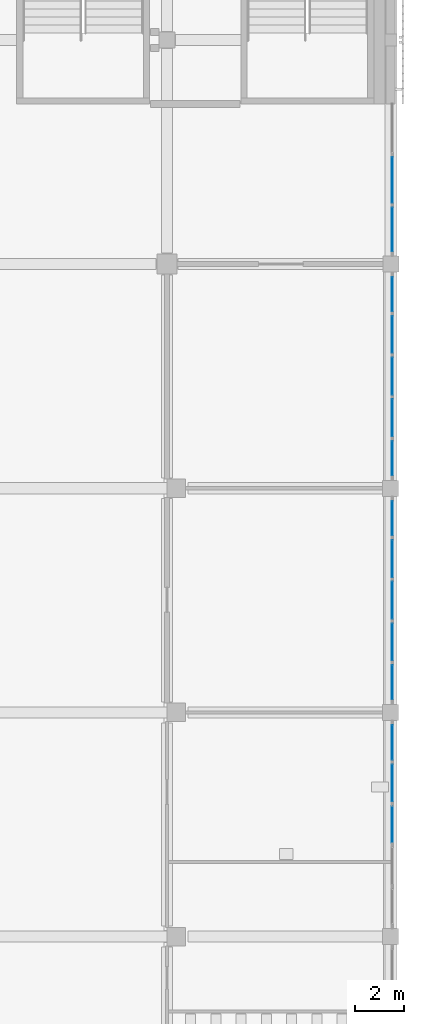
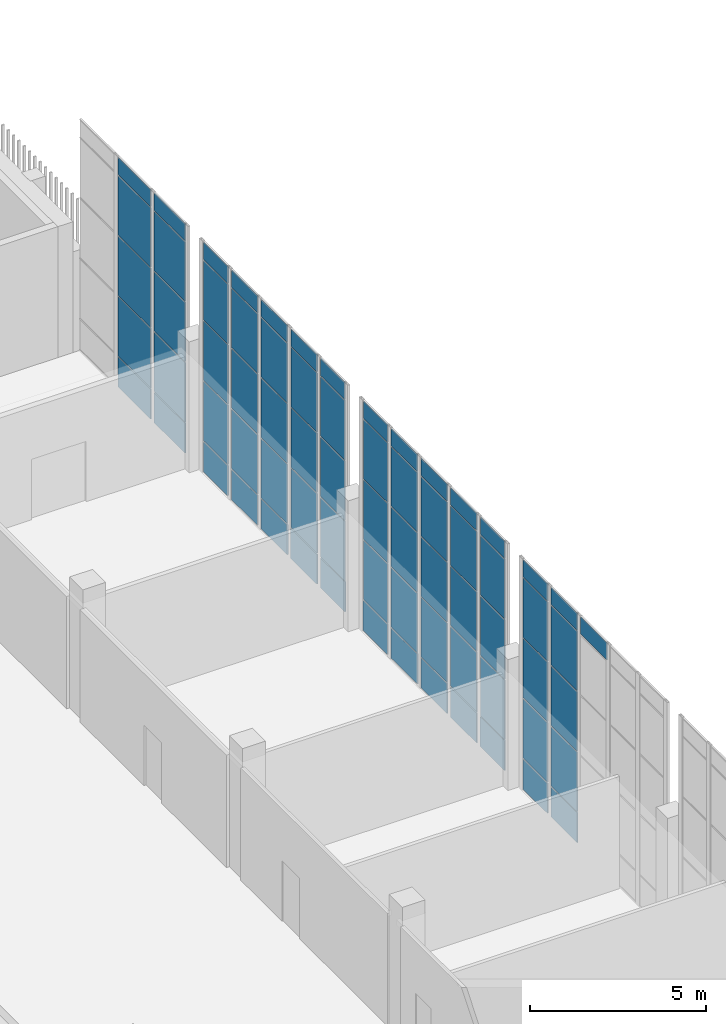
# One storey, part 71 of 126: 71 plates, 4 elements without a shape of their own.
"""IFC4 building model written with IfcOpenShell, lengths in metres."""

from ifc_helpers import new_model, si_unit, direction, frame, origin, origin_2d, place, context, subcontext, project, spatial, rectangle, extrude, material, layer, layer_set, type_object, element, aggregate, save


model = new_model("IFC4")

# Units and contexts
model_context = context("Model", 3, precision=1e-05, world=origin(), true_north=direction((0.0, 1.0)))
body_context = subcontext(model_context, "Body", "Model", "MODEL_VIEW")
ifc_project = project(units=[si_unit("LENGTHUNIT", "METRE"), si_unit("AREAUNIT", "SQUARE_METRE"), si_unit("VOLUMEUNIT", "CUBIC_METRE"), si_unit("PLANEANGLEUNIT", "RADIAN"), si_unit("MASSUNIT", "GRAM", prefix="KILO")], contexts=[model_context])

# Site, building, storey
site_placement = place(None, origin())
site = spatial("IfcSite", under=ifc_project, at=site_placement, CompositionType="ELEMENT")
building_placement = place(site_placement, origin())
building = spatial("IfcBuilding", under=site, at=building_placement, Name="Shirokan Park Arena", CompositionType="ELEMENT")
storey_placement = place(building_placement, frame((0.0, 0.0, 6.3701171875)))
storey = spatial("IfcBuildingStorey", under=building, at=storey_placement, Name="L01", CompositionType="ELEMENT", Elevation=6.3701171875)

# Curtain wall, plates
ifc_material_1 = material(Name="Steel and glass curtain wall", Category="steel")
ifc_layer_1 = layer(ifc_material_1, 0.199951171875)
ifc_layer_set_1 = layer_set([ifc_layer_1], Name="Steel and glass curtain wall 200 mm")
curtain_wall_type = type_object("IfcCurtainWallType", Name="Curtain wall hall bay 200", PredefinedType="NOTDEFINED", material=ifc_layer_set_1)
curtain_wall_1_placement = place(storey_placement, origin())
curtain_wall_1 = element("IfcCurtainWall", 1, at=curtain_wall_1_placement, inside=storey, type_object=curtain_wall_type, Name="Curtain wall east bay 6 L01", PredefinedType="NOTDEFINED")
ifc_material_2 = material(Name="Toughened glass", Category="glass")
ifc_layer_2 = layer(ifc_material_2, 0.012939453125, Name="Toughened glass")
ifc_material_3 = material(Name="Interlayer film")
ifc_layer_3 = layer(ifc_material_3, 0.001953125, Name="Interlayer film")
ifc_layer_4 = layer(ifc_material_2, 0.012939453125, Name="Toughened glass")
ifc_layer_set_2 = layer_set([ifc_layer_2, ifc_layer_3, ifc_layer_4], Name="Toughened glass + Interlayer film")
plate_type_1 = type_object("IfcPlateType", Name="Laminated glass panel 28", PredefinedType="CURTAIN_PANEL", material=ifc_layer_set_2)
plate_1_placement = place(storey_placement, frame((145.64990234375, 50.050048828125, 7.419921875), z_axis=(0.0, 0.0, 1.0), x_axis=(0.0, 1.0, 0.0)))
plate_1 = element("IfcPlate", 2, at=plate_1_placement, type_object=plate_type_1, Name="CW5 panel 3.5", PredefinedType="CURTAIN_PANEL", context=body_context, shape_type="SweptSolid", body=[
    extrude(rectangle(XDim=1.489990234375, YDim=0.028076171875, at=origin_2d()), origin(), (0.0, 0.0, 1.0), 0.590087890625),
])
plate_2_placement = place(storey_placement, frame((145.64990234375, 51.739990234375, 1.119873046875), z_axis=(0.0, 0.0, 1.0), x_axis=(0.0, 1.0, 0.0)))
plate_2 = element("IfcPlate", 3, at=plate_2_placement, type_object=plate_type_1, Name="CW5 panel 4.2", PredefinedType="CURTAIN_PANEL", context=body_context, shape_type="SweptSolid", body=[
    extrude(rectangle(XDim=1.489990234375, YDim=0.028076171875, at=origin_2d()), origin(), (0.0, 0.0, 1.0), 2.06005859375),
])
plate_3_placement = place(storey_placement, frame((145.64990234375, 51.739990234375, 3.219970703125), z_axis=(0.0, 0.0, 1.0), x_axis=(0.0, 1.0, 0.0)))
plate_3 = element("IfcPlate", 4, at=plate_3_placement, type_object=plate_type_1, Name="CW5 panel 4.3", PredefinedType="CURTAIN_PANEL", context=body_context, shape_type="SweptSolid", body=[
    extrude(rectangle(XDim=1.489990234375, YDim=0.028076171875, at=origin_2d()), origin(), (0.0, 0.0, 1.0), 2.06005859375),
])
plate_4_placement = place(storey_placement, frame((145.64990234375, 51.739990234375, 5.31982421875), z_axis=(0.0, 0.0, 1.0), x_axis=(0.0, 1.0, 0.0)))
plate_4 = element("IfcPlate", 5, at=plate_4_placement, type_object=plate_type_1, Name="CW5 panel 4.4", PredefinedType="CURTAIN_PANEL", context=body_context, shape_type="SweptSolid", body=[
    extrude(rectangle(XDim=1.489990234375, YDim=0.028076171875, at=origin_2d()), origin(), (0.0, 0.0, 1.0), 2.06005859375),
])
plate_5_placement = place(storey_placement, frame((145.64990234375, 51.739990234375, 7.419921875), z_axis=(0.0, 0.0, 1.0), x_axis=(0.0, 1.0, 0.0)))
plate_5 = element("IfcPlate", 6, at=plate_5_placement, type_object=plate_type_1, Name="CW5 panel 4.5", PredefinedType="CURTAIN_PANEL", context=body_context, shape_type="SweptSolid", body=[
    extrude(rectangle(XDim=1.489990234375, YDim=0.028076171875, at=origin_2d()), origin(), (0.0, 0.0, 1.0), 0.590087890625),
])
plate_6_placement = place(storey_placement, frame((145.64990234375, 53.3798828125, 1.119873046875), z_axis=(0.0, 0.0, 1.0), x_axis=(0.0, 1.0, 0.0)))
plate_6 = element("IfcPlate", 7, at=plate_6_placement, type_object=plate_type_1, Name="CW5 panel 5.2", PredefinedType="CURTAIN_PANEL", context=body_context, shape_type="SweptSolid", body=[
    extrude(rectangle(XDim=1.389892578125, YDim=0.028076171875, at=origin_2d()), origin(), (0.0, 0.0, 1.0), 2.06005859375),
])
plate_7_placement = place(storey_placement, frame((145.64990234375, 53.3798828125, 3.219970703125), z_axis=(0.0, 0.0, 1.0), x_axis=(0.0, 1.0, 0.0)))
plate_7 = element("IfcPlate", 8, at=plate_7_placement, type_object=plate_type_1, Name="CW5 panel 5.3", PredefinedType="CURTAIN_PANEL", context=body_context, shape_type="SweptSolid", body=[
    extrude(rectangle(XDim=1.389892578125, YDim=0.028076171875, at=origin_2d()), origin(), (0.0, 0.0, 1.0), 2.06005859375),
])
plate_8_placement = place(storey_placement, frame((145.64990234375, 53.3798828125, 5.31982421875), z_axis=(0.0, 0.0, 1.0), x_axis=(0.0, 1.0, 0.0)))
plate_8 = element("IfcPlate", 9, at=plate_8_placement, type_object=plate_type_1, Name="CW5 panel 5.4", PredefinedType="CURTAIN_PANEL", context=body_context, shape_type="SweptSolid", body=[
    extrude(rectangle(XDim=1.389892578125, YDim=0.028076171875, at=origin_2d()), origin(), (0.0, 0.0, 1.0), 2.06005859375),
])
plate_9_placement = place(storey_placement, frame((145.64990234375, 53.3798828125, 7.419921875), z_axis=(0.0, 0.0, 1.0), x_axis=(0.0, 1.0, 0.0)))
plate_9 = element("IfcPlate", 10, at=plate_9_placement, type_object=plate_type_1, Name="CW5 panel 5.5", PredefinedType="CURTAIN_PANEL", context=body_context, shape_type="SweptSolid", body=[
    extrude(rectangle(XDim=1.389892578125, YDim=0.028076171875, at=origin_2d()), origin(), (0.0, 0.0, 1.0), 0.590087890625),
])

curtain_wall_2_placement = place(storey_placement, origin())
curtain_wall_2 = element("IfcCurtainWall", 11, at=curtain_wall_2_placement, inside=storey, type_object=curtain_wall_type, Name="Curtain wall east bay 7 L01", PredefinedType="NOTDEFINED")
plate_10_placement = place(storey_placement, frame((145.64990234375, 55.820068359375, 1.119873046875), z_axis=(0.0, 0.0, 1.0), x_axis=(0.0, 1.0, 0.0)))
plate_10 = element("IfcPlate", 12, at=plate_10_placement, type_object=plate_type_1, Name="CW5 panel 1.2", PredefinedType="CURTAIN_PANEL", context=body_context, shape_type="SweptSolid", body=[
    extrude(rectangle(XDim=1.389892578125, YDim=0.028076171875, at=origin_2d()), origin(), (0.0, 0.0, 1.0), 2.06005859375),
])
plate_11_placement = place(storey_placement, frame((145.64990234375, 55.820068359375, 3.219970703125), z_axis=(0.0, 0.0, 1.0), x_axis=(0.0, 1.0, 0.0)))
plate_11 = element("IfcPlate", 13, at=plate_11_placement, type_object=plate_type_1, Name="CW5 panel 1.3", PredefinedType="CURTAIN_PANEL", context=body_context, shape_type="SweptSolid", body=[
    extrude(rectangle(XDim=1.389892578125, YDim=0.028076171875, at=origin_2d()), origin(), (0.0, 0.0, 1.0), 2.06005859375),
])
plate_12_placement = place(storey_placement, frame((145.64990234375, 55.820068359375, 5.31982421875), z_axis=(0.0, 0.0, 1.0), x_axis=(0.0, 1.0, 0.0)))
plate_12 = element("IfcPlate", 14, at=plate_12_placement, type_object=plate_type_1, Name="CW5 panel 1.4", PredefinedType="CURTAIN_PANEL", context=body_context, shape_type="SweptSolid", body=[
    extrude(rectangle(XDim=1.389892578125, YDim=0.028076171875, at=origin_2d()), origin(), (0.0, 0.0, 1.0), 2.06005859375),
])
plate_13_placement = place(storey_placement, frame((145.64990234375, 55.820068359375, 7.419921875), z_axis=(0.0, 0.0, 1.0), x_axis=(0.0, 1.0, 0.0)))
plate_13 = element("IfcPlate", 15, at=plate_13_placement, type_object=plate_type_1, Name="CW5 panel 1.5", PredefinedType="CURTAIN_PANEL", context=body_context, shape_type="SweptSolid", body=[
    extrude(rectangle(XDim=1.389892578125, YDim=0.028076171875, at=origin_2d()), origin(), (0.0, 0.0, 1.0), 0.590087890625),
])
plate_14_placement = place(storey_placement, frame((145.64990234375, 57.4599609375, 1.119873046875), z_axis=(0.0, 0.0, 1.0), x_axis=(0.0, 1.0, 0.0)))
plate_14 = element("IfcPlate", 16, at=plate_14_placement, type_object=plate_type_1, Name="CW5 panel 2.2", PredefinedType="CURTAIN_PANEL", context=body_context, shape_type="SweptSolid", body=[
    extrude(rectangle(XDim=1.489990234375, YDim=0.028076171875, at=origin_2d()), origin(), (0.0, 0.0, 1.0), 2.06005859375),
])
plate_15_placement = place(storey_placement, frame((145.64990234375, 57.4599609375, 3.219970703125), z_axis=(0.0, 0.0, 1.0), x_axis=(0.0, 1.0, 0.0)))
plate_15 = element("IfcPlate", 17, at=plate_15_placement, type_object=plate_type_1, Name="CW5 panel 2.3", PredefinedType="CURTAIN_PANEL", context=body_context, shape_type="SweptSolid", body=[
    extrude(rectangle(XDim=1.489990234375, YDim=0.028076171875, at=origin_2d()), origin(), (0.0, 0.0, 1.0), 2.06005859375),
])
plate_16_placement = place(storey_placement, frame((145.64990234375, 57.4599609375, 5.31982421875), z_axis=(0.0, 0.0, 1.0), x_axis=(0.0, 1.0, 0.0)))
plate_16 = element("IfcPlate", 18, at=plate_16_placement, type_object=plate_type_1, Name="CW5 panel 2.4", PredefinedType="CURTAIN_PANEL", context=body_context, shape_type="SweptSolid", body=[
    extrude(rectangle(XDim=1.489990234375, YDim=0.028076171875, at=origin_2d()), origin(), (0.0, 0.0, 1.0), 2.06005859375),
])
plate_17_placement = place(storey_placement, frame((145.64990234375, 57.4599609375, 7.419921875), z_axis=(0.0, 0.0, 1.0), x_axis=(0.0, 1.0, 0.0)))
plate_17 = element("IfcPlate", 19, at=plate_17_placement, type_object=plate_type_1, Name="CW5 panel 2.5", PredefinedType="CURTAIN_PANEL", context=body_context, shape_type="SweptSolid", body=[
    extrude(rectangle(XDim=1.489990234375, YDim=0.028076171875, at=origin_2d()), origin(), (0.0, 0.0, 1.0), 0.590087890625),
])
plate_18_placement = place(storey_placement, frame((145.64990234375, 59.14990234375, 1.119873046875), z_axis=(0.0, 0.0, 1.0), x_axis=(0.0, 1.0, 0.0)))
plate_18 = element("IfcPlate", 20, at=plate_18_placement, type_object=plate_type_1, Name="CW5 panel 3.2", PredefinedType="CURTAIN_PANEL", context=body_context, shape_type="SweptSolid", body=[
    extrude(rectangle(XDim=1.489990234375, YDim=0.028076171875, at=origin_2d()), origin(), (0.0, 0.0, 1.0), 2.06005859375),
])
plate_19_placement = place(storey_placement, frame((145.64990234375, 59.14990234375, 3.219970703125), z_axis=(0.0, 0.0, 1.0), x_axis=(0.0, 1.0, 0.0)))
plate_19 = element("IfcPlate", 21, at=plate_19_placement, type_object=plate_type_1, Name="CW5 panel 3.3", PredefinedType="CURTAIN_PANEL", context=body_context, shape_type="SweptSolid", body=[
    extrude(rectangle(XDim=1.489990234375, YDim=0.028076171875, at=origin_2d()), origin(), (0.0, 0.0, 1.0), 2.06005859375),
])
plate_20_placement = place(storey_placement, frame((145.64990234375, 59.14990234375, 5.31982421875), z_axis=(0.0, 0.0, 1.0), x_axis=(0.0, 1.0, 0.0)))
plate_20 = element("IfcPlate", 22, at=plate_20_placement, type_object=plate_type_1, Name="CW5 panel 3.4", PredefinedType="CURTAIN_PANEL", context=body_context, shape_type="SweptSolid", body=[
    extrude(rectangle(XDim=1.489990234375, YDim=0.028076171875, at=origin_2d()), origin(), (0.0, 0.0, 1.0), 2.06005859375),
])
plate_21_placement = place(storey_placement, frame((145.64990234375, 59.14990234375, 7.419921875), z_axis=(0.0, 0.0, 1.0), x_axis=(0.0, 1.0, 0.0)))
plate_21 = element("IfcPlate", 23, at=plate_21_placement, type_object=plate_type_1, Name="CW5 panel 3.5", PredefinedType="CURTAIN_PANEL", context=body_context, shape_type="SweptSolid", body=[
    extrude(rectangle(XDim=1.489990234375, YDim=0.028076171875, at=origin_2d()), origin(), (0.0, 0.0, 1.0), 0.590087890625),
])
plate_22_placement = place(storey_placement, frame((145.64990234375, 60.840087890625, 1.119873046875), z_axis=(0.0, 0.0, 1.0), x_axis=(0.0, 1.0, 0.0)))
plate_22 = element("IfcPlate", 24, at=plate_22_placement, type_object=plate_type_1, Name="CW5 panel 4.2", PredefinedType="CURTAIN_PANEL", context=body_context, shape_type="SweptSolid", body=[
    extrude(rectangle(XDim=1.489990234375, YDim=0.028076171875, at=origin_2d()), origin(), (0.0, 0.0, 1.0), 2.06005859375),
])
plate_23_placement = place(storey_placement, frame((145.64990234375, 60.840087890625, 3.219970703125), z_axis=(0.0, 0.0, 1.0), x_axis=(0.0, 1.0, 0.0)))
plate_23 = element("IfcPlate", 25, at=plate_23_placement, type_object=plate_type_1, Name="CW5 panel 4.3", PredefinedType="CURTAIN_PANEL", context=body_context, shape_type="SweptSolid", body=[
    extrude(rectangle(XDim=1.489990234375, YDim=0.028076171875, at=origin_2d()), origin(), (0.0, 0.0, 1.0), 2.06005859375),
])
plate_24_placement = place(storey_placement, frame((145.64990234375, 60.840087890625, 5.31982421875), z_axis=(0.0, 0.0, 1.0), x_axis=(0.0, 1.0, 0.0)))
plate_24 = element("IfcPlate", 26, at=plate_24_placement, type_object=plate_type_1, Name="CW5 panel 4.4", PredefinedType="CURTAIN_PANEL", context=body_context, shape_type="SweptSolid", body=[
    extrude(rectangle(XDim=1.489990234375, YDim=0.028076171875, at=origin_2d()), origin(), (0.0, 0.0, 1.0), 2.06005859375),
])
plate_25_placement = place(storey_placement, frame((145.64990234375, 60.840087890625, 7.419921875), z_axis=(0.0, 0.0, 1.0), x_axis=(0.0, 1.0, 0.0)))
plate_25 = element("IfcPlate", 27, at=plate_25_placement, type_object=plate_type_1, Name="CW5 panel 4.5", PredefinedType="CURTAIN_PANEL", context=body_context, shape_type="SweptSolid", body=[
    extrude(rectangle(XDim=1.489990234375, YDim=0.028076171875, at=origin_2d()), origin(), (0.0, 0.0, 1.0), 0.590087890625),
])
plate_26_placement = place(storey_placement, frame((145.64990234375, 62.47998046875, 1.119873046875), z_axis=(0.0, 0.0, 1.0), x_axis=(0.0, 1.0, 0.0)))
plate_26 = element("IfcPlate", 28, at=plate_26_placement, type_object=plate_type_1, Name="CW5 panel 5.2", PredefinedType="CURTAIN_PANEL", context=body_context, shape_type="SweptSolid", body=[
    extrude(rectangle(XDim=1.389892578125, YDim=0.028076171875, at=origin_2d()), origin(), (0.0, 0.0, 1.0), 2.06005859375),
])
plate_27_placement = place(storey_placement, frame((145.64990234375, 62.47998046875, 3.219970703125), z_axis=(0.0, 0.0, 1.0), x_axis=(0.0, 1.0, 0.0)))
plate_27 = element("IfcPlate", 29, at=plate_27_placement, type_object=plate_type_1, Name="CW5 panel 5.3", PredefinedType="CURTAIN_PANEL", context=body_context, shape_type="SweptSolid", body=[
    extrude(rectangle(XDim=1.389892578125, YDim=0.028076171875, at=origin_2d()), origin(), (0.0, 0.0, 1.0), 2.06005859375),
])
plate_28_placement = place(storey_placement, frame((145.64990234375, 62.47998046875, 5.31982421875), z_axis=(0.0, 0.0, 1.0), x_axis=(0.0, 1.0, 0.0)))
plate_28 = element("IfcPlate", 30, at=plate_28_placement, type_object=plate_type_1, Name="CW5 panel 5.4", PredefinedType="CURTAIN_PANEL", context=body_context, shape_type="SweptSolid", body=[
    extrude(rectangle(XDim=1.389892578125, YDim=0.028076171875, at=origin_2d()), origin(), (0.0, 0.0, 1.0), 2.06005859375),
])
plate_29_placement = place(storey_placement, frame((145.64990234375, 62.47998046875, 7.419921875), z_axis=(0.0, 0.0, 1.0), x_axis=(0.0, 1.0, 0.0)))
plate_29 = element("IfcPlate", 31, at=plate_29_placement, type_object=plate_type_1, Name="CW5 panel 5.5", PredefinedType="CURTAIN_PANEL", context=body_context, shape_type="SweptSolid", body=[
    extrude(rectangle(XDim=1.389892578125, YDim=0.028076171875, at=origin_2d()), origin(), (0.0, 0.0, 1.0), 0.590087890625),
])

curtain_wall_3_placement = place(storey_placement, origin())
curtain_wall_3 = element("IfcCurtainWall", 32, at=curtain_wall_3_placement, inside=storey, type_object=curtain_wall_type, Name="Curtain wall east bay 8 L01", PredefinedType="NOTDEFINED")
plate_30_placement = place(storey_placement, frame((145.64990234375, 64.919921875, 1.119873046875), z_axis=(0.0, 0.0, 1.0), x_axis=(0.0, 1.0, 0.0)))
plate_30 = element("IfcPlate", 33, at=plate_30_placement, type_object=plate_type_1, Name="CW5 panel 1.2", PredefinedType="CURTAIN_PANEL", context=body_context, shape_type="SweptSolid", body=[
    extrude(rectangle(XDim=1.389892578125, YDim=0.028076171875, at=origin_2d()), origin(), (0.0, 0.0, 1.0), 2.06005859375),
])
plate_31_placement = place(storey_placement, frame((145.64990234375, 64.919921875, 3.219970703125), z_axis=(0.0, 0.0, 1.0), x_axis=(0.0, 1.0, 0.0)))
plate_31 = element("IfcPlate", 34, at=plate_31_placement, type_object=plate_type_1, Name="CW5 panel 1.3", PredefinedType="CURTAIN_PANEL", context=body_context, shape_type="SweptSolid", body=[
    extrude(rectangle(XDim=1.389892578125, YDim=0.028076171875, at=origin_2d()), origin(), (0.0, 0.0, 1.0), 2.06005859375),
])
plate_32_placement = place(storey_placement, frame((145.64990234375, 64.919921875, 5.31982421875), z_axis=(0.0, 0.0, 1.0), x_axis=(0.0, 1.0, 0.0)))
plate_32 = element("IfcPlate", 35, at=plate_32_placement, type_object=plate_type_1, Name="CW5 panel 1.4", PredefinedType="CURTAIN_PANEL", context=body_context, shape_type="SweptSolid", body=[
    extrude(rectangle(XDim=1.389892578125, YDim=0.028076171875, at=origin_2d()), origin(), (0.0, 0.0, 1.0), 2.06005859375),
])
plate_33_placement = place(storey_placement, frame((145.64990234375, 64.919921875, 7.419921875), z_axis=(0.0, 0.0, 1.0), x_axis=(0.0, 1.0, 0.0)))
plate_33 = element("IfcPlate", 36, at=plate_33_placement, type_object=plate_type_1, Name="CW5 panel 1.5", PredefinedType="CURTAIN_PANEL", context=body_context, shape_type="SweptSolid", body=[
    extrude(rectangle(XDim=1.389892578125, YDim=0.028076171875, at=origin_2d()), origin(), (0.0, 0.0, 1.0), 0.590087890625),
])
plate_34_placement = place(storey_placement, frame((145.64990234375, 66.56005859375, 1.119873046875), z_axis=(0.0, 0.0, 1.0), x_axis=(0.0, 1.0, 0.0)))
plate_34 = element("IfcPlate", 37, at=plate_34_placement, type_object=plate_type_1, Name="CW5 panel 2.2", PredefinedType="CURTAIN_PANEL", context=body_context, shape_type="SweptSolid", body=[
    extrude(rectangle(XDim=1.489990234375, YDim=0.028076171875, at=origin_2d()), origin(), (0.0, 0.0, 1.0), 2.06005859375),
])
plate_35_placement = place(storey_placement, frame((145.64990234375, 66.56005859375, 3.219970703125), z_axis=(0.0, 0.0, 1.0), x_axis=(0.0, 1.0, 0.0)))
plate_35 = element("IfcPlate", 38, at=plate_35_placement, type_object=plate_type_1, Name="CW5 panel 2.3", PredefinedType="CURTAIN_PANEL", context=body_context, shape_type="SweptSolid", body=[
    extrude(rectangle(XDim=1.489990234375, YDim=0.028076171875, at=origin_2d()), origin(), (0.0, 0.0, 1.0), 2.06005859375),
])
plate_36_placement = place(storey_placement, frame((145.64990234375, 66.56005859375, 5.31982421875), z_axis=(0.0, 0.0, 1.0), x_axis=(0.0, 1.0, 0.0)))
plate_36 = element("IfcPlate", 39, at=plate_36_placement, type_object=plate_type_1, Name="CW5 panel 2.4", PredefinedType="CURTAIN_PANEL", context=body_context, shape_type="SweptSolid", body=[
    extrude(rectangle(XDim=1.489990234375, YDim=0.028076171875, at=origin_2d()), origin(), (0.0, 0.0, 1.0), 2.06005859375),
])
plate_37_placement = place(storey_placement, frame((145.64990234375, 66.56005859375, 7.419921875), z_axis=(0.0, 0.0, 1.0), x_axis=(0.0, 1.0, 0.0)))
plate_37 = element("IfcPlate", 40, at=plate_37_placement, type_object=plate_type_1, Name="CW5 panel 2.5", PredefinedType="CURTAIN_PANEL", context=body_context, shape_type="SweptSolid", body=[
    extrude(rectangle(XDim=1.489990234375, YDim=0.028076171875, at=origin_2d()), origin(), (0.0, 0.0, 1.0), 0.590087890625),
])
plate_38_placement = place(storey_placement, frame((145.64990234375, 68.25, 1.119873046875), z_axis=(0.0, 0.0, 1.0), x_axis=(0.0, 1.0, 0.0)))
plate_38 = element("IfcPlate", 41, at=plate_38_placement, type_object=plate_type_1, Name="CW5 panel 3.2", PredefinedType="CURTAIN_PANEL", context=body_context, shape_type="SweptSolid", body=[
    extrude(rectangle(XDim=1.489990234375, YDim=0.028076171875, at=origin_2d()), origin(), (0.0, 0.0, 1.0), 2.06005859375),
])
plate_39_placement = place(storey_placement, frame((145.64990234375, 68.25, 3.219970703125), z_axis=(0.0, 0.0, 1.0), x_axis=(0.0, 1.0, 0.0)))
plate_39 = element("IfcPlate", 42, at=plate_39_placement, type_object=plate_type_1, Name="CW5 panel 3.3", PredefinedType="CURTAIN_PANEL", context=body_context, shape_type="SweptSolid", body=[
    extrude(rectangle(XDim=1.489990234375, YDim=0.028076171875, at=origin_2d()), origin(), (0.0, 0.0, 1.0), 2.06005859375),
])
plate_40_placement = place(storey_placement, frame((145.64990234375, 68.25, 5.31982421875), z_axis=(0.0, 0.0, 1.0), x_axis=(0.0, 1.0, 0.0)))
plate_40 = element("IfcPlate", 43, at=plate_40_placement, type_object=plate_type_1, Name="CW5 panel 3.4", PredefinedType="CURTAIN_PANEL", context=body_context, shape_type="SweptSolid", body=[
    extrude(rectangle(XDim=1.489990234375, YDim=0.028076171875, at=origin_2d()), origin(), (0.0, 0.0, 1.0), 2.06005859375),
])
plate_41_placement = place(storey_placement, frame((145.64990234375, 68.25, 7.419921875), z_axis=(0.0, 0.0, 1.0), x_axis=(0.0, 1.0, 0.0)))
plate_41 = element("IfcPlate", 44, at=plate_41_placement, type_object=plate_type_1, Name="CW5 panel 3.5", PredefinedType="CURTAIN_PANEL", context=body_context, shape_type="SweptSolid", body=[
    extrude(rectangle(XDim=1.489990234375, YDim=0.028076171875, at=origin_2d()), origin(), (0.0, 0.0, 1.0), 0.590087890625),
])
plate_42_placement = place(storey_placement, frame((145.64990234375, 69.93994140625, 1.119873046875), z_axis=(0.0, 0.0, 1.0), x_axis=(0.0, 1.0, 0.0)))
plate_42 = element("IfcPlate", 45, at=plate_42_placement, type_object=plate_type_1, Name="CW5 panel 4.2", PredefinedType="CURTAIN_PANEL", context=body_context, shape_type="SweptSolid", body=[
    extrude(rectangle(XDim=1.489990234375, YDim=0.028076171875, at=origin_2d()), origin(), (0.0, 0.0, 1.0), 2.06005859375),
])
plate_43_placement = place(storey_placement, frame((145.64990234375, 69.93994140625, 3.219970703125), z_axis=(0.0, 0.0, 1.0), x_axis=(0.0, 1.0, 0.0)))
plate_43 = element("IfcPlate", 46, at=plate_43_placement, type_object=plate_type_1, Name="CW5 panel 4.3", PredefinedType="CURTAIN_PANEL", context=body_context, shape_type="SweptSolid", body=[
    extrude(rectangle(XDim=1.489990234375, YDim=0.028076171875, at=origin_2d()), origin(), (0.0, 0.0, 1.0), 2.06005859375),
])
plate_44_placement = place(storey_placement, frame((145.64990234375, 69.93994140625, 5.31982421875), z_axis=(0.0, 0.0, 1.0), x_axis=(0.0, 1.0, 0.0)))
plate_44 = element("IfcPlate", 47, at=plate_44_placement, type_object=plate_type_1, Name="CW5 panel 4.4", PredefinedType="CURTAIN_PANEL", context=body_context, shape_type="SweptSolid", body=[
    extrude(rectangle(XDim=1.489990234375, YDim=0.028076171875, at=origin_2d()), origin(), (0.0, 0.0, 1.0), 2.06005859375),
])
plate_45_placement = place(storey_placement, frame((145.64990234375, 69.93994140625, 7.419921875), z_axis=(0.0, 0.0, 1.0), x_axis=(0.0, 1.0, 0.0)))
plate_45 = element("IfcPlate", 48, at=plate_45_placement, type_object=plate_type_1, Name="CW5 panel 4.5", PredefinedType="CURTAIN_PANEL", context=body_context, shape_type="SweptSolid", body=[
    extrude(rectangle(XDim=1.489990234375, YDim=0.028076171875, at=origin_2d()), origin(), (0.0, 0.0, 1.0), 0.590087890625),
])
plate_46_placement = place(storey_placement, frame((145.64990234375, 71.580078125, 1.119873046875), z_axis=(0.0, 0.0, 1.0), x_axis=(0.0, 1.0, 0.0)))
plate_46 = element("IfcPlate", 49, at=plate_46_placement, type_object=plate_type_1, Name="CW5 panel 5.2", PredefinedType="CURTAIN_PANEL", context=body_context, shape_type="SweptSolid", body=[
    extrude(rectangle(XDim=1.389892578125, YDim=0.028076171875, at=origin_2d()), origin(), (0.0, 0.0, 1.0), 2.06005859375),
])
plate_47_placement = place(storey_placement, frame((145.64990234375, 71.580078125, 3.219970703125), z_axis=(0.0, 0.0, 1.0), x_axis=(0.0, 1.0, 0.0)))
plate_47 = element("IfcPlate", 50, at=plate_47_placement, type_object=plate_type_1, Name="CW5 panel 5.3", PredefinedType="CURTAIN_PANEL", context=body_context, shape_type="SweptSolid", body=[
    extrude(rectangle(XDim=1.389892578125, YDim=0.028076171875, at=origin_2d()), origin(), (0.0, 0.0, 1.0), 2.06005859375),
])
plate_48_placement = place(storey_placement, frame((145.64990234375, 71.580078125, 5.31982421875), z_axis=(0.0, 0.0, 1.0), x_axis=(0.0, 1.0, 0.0)))
plate_48 = element("IfcPlate", 51, at=plate_48_placement, type_object=plate_type_1, Name="CW5 panel 5.4", PredefinedType="CURTAIN_PANEL", context=body_context, shape_type="SweptSolid", body=[
    extrude(rectangle(XDim=1.389892578125, YDim=0.028076171875, at=origin_2d()), origin(), (0.0, 0.0, 1.0), 2.06005859375),
])
plate_49_placement = place(storey_placement, frame((145.64990234375, 71.580078125, 7.419921875), z_axis=(0.0, 0.0, 1.0), x_axis=(0.0, 1.0, 0.0)))
plate_49 = element("IfcPlate", 52, at=plate_49_placement, type_object=plate_type_1, Name="CW5 panel 5.5", PredefinedType="CURTAIN_PANEL", context=body_context, shape_type="SweptSolid", body=[
    extrude(rectangle(XDim=1.389892578125, YDim=0.028076171875, at=origin_2d()), origin(), (0.0, 0.0, 1.0), 0.590087890625),
])

curtain_wall_4_placement = place(storey_placement, origin())
curtain_wall_4 = element("IfcCurtainWall", 53, at=curtain_wall_4_placement, inside=storey, type_object=curtain_wall_type, Name="Curtain wall east bay 9 L01", PredefinedType="NOTDEFINED")
plate_50_placement = place(storey_placement, frame((145.64990234375, 74.2041015625, 1.119873046875), z_axis=(0.0, 0.0, 1.0), x_axis=(0.0, 1.0, 0.0)))
plate_50 = element("IfcPlate", 54, at=plate_50_placement, type_object=plate_type_1, Name="CW5 panel 1.2", PredefinedType="CURTAIN_PANEL", context=body_context, shape_type="SweptSolid", body=[
    extrude(rectangle(XDim=1.75830078125, YDim=0.028076171875, at=origin_2d()), origin(), (0.0, 0.0, 1.0), 2.06005859375),
])
plate_51_placement = place(storey_placement, frame((145.64990234375, 74.2041015625, 3.219970703125), z_axis=(0.0, 0.0, 1.0), x_axis=(0.0, 1.0, 0.0)))
plate_51 = element("IfcPlate", 55, at=plate_51_placement, type_object=plate_type_1, Name="CW5 panel 1.3", PredefinedType="CURTAIN_PANEL", context=body_context, shape_type="SweptSolid", body=[
    extrude(rectangle(XDim=1.75830078125, YDim=0.028076171875, at=origin_2d()), origin(), (0.0, 0.0, 1.0), 2.06005859375),
])
plate_52_placement = place(storey_placement, frame((145.64990234375, 74.2041015625, 5.31982421875), z_axis=(0.0, 0.0, 1.0), x_axis=(0.0, 1.0, 0.0)))
plate_52 = element("IfcPlate", 56, at=plate_52_placement, type_object=plate_type_1, Name="CW5 panel 1.4", PredefinedType="CURTAIN_PANEL", context=body_context, shape_type="SweptSolid", body=[
    extrude(rectangle(XDim=1.75830078125, YDim=0.028076171875, at=origin_2d()), origin(), (0.0, 0.0, 1.0), 2.06005859375),
])
plate_53_placement = place(storey_placement, frame((145.64990234375, 74.2041015625, 7.419921875), z_axis=(0.0, 0.0, 1.0), x_axis=(0.0, 1.0, 0.0)))
plate_53 = element("IfcPlate", 57, at=plate_53_placement, type_object=plate_type_1, Name="CW5 panel 1.5", PredefinedType="CURTAIN_PANEL", context=body_context, shape_type="SweptSolid", body=[
    extrude(rectangle(XDim=1.75830078125, YDim=0.028076171875, at=origin_2d()), origin(), (0.0, 0.0, 1.0), 0.590087890625),
])
plate_54_placement = place(storey_placement, frame((145.64990234375, 76.21240234375, 1.119873046875), z_axis=(0.0, 0.0, 1.0), x_axis=(0.0, 1.0, 0.0)))
plate_54 = element("IfcPlate", 58, at=plate_54_placement, type_object=plate_type_1, Name="CW5 panel 2.2", PredefinedType="CURTAIN_PANEL", context=body_context, shape_type="SweptSolid", body=[
    extrude(rectangle(XDim=1.8583984375, YDim=0.028076171875, at=origin_2d()), origin(), (0.0, 0.0, 1.0), 2.06005859375),
])
plate_55_placement = place(storey_placement, frame((145.64990234375, 76.21240234375, 3.219970703125), z_axis=(0.0, 0.0, 1.0), x_axis=(0.0, 1.0, 0.0)))
plate_55 = element("IfcPlate", 59, at=plate_55_placement, type_object=plate_type_1, Name="CW5 panel 2.3", PredefinedType="CURTAIN_PANEL", context=body_context, shape_type="SweptSolid", body=[
    extrude(rectangle(XDim=1.8583984375, YDim=0.028076171875, at=origin_2d()), origin(), (0.0, 0.0, 1.0), 2.06005859375),
])
plate_56_placement = place(storey_placement, frame((145.64990234375, 76.21240234375, 5.31982421875), z_axis=(0.0, 0.0, 1.0), x_axis=(0.0, 1.0, 0.0)))
plate_56 = element("IfcPlate", 60, at=plate_56_placement, type_object=plate_type_1, Name="CW5 panel 2.4", PredefinedType="CURTAIN_PANEL", context=body_context, shape_type="SweptSolid", body=[
    extrude(rectangle(XDim=1.8583984375, YDim=0.028076171875, at=origin_2d()), origin(), (0.0, 0.0, 1.0), 2.06005859375),
])
plate_57_placement = place(storey_placement, frame((145.64990234375, 76.21240234375, 7.419921875), z_axis=(0.0, 0.0, 1.0), x_axis=(0.0, 1.0, 0.0)))
plate_57 = element("IfcPlate", 61, at=plate_57_placement, type_object=plate_type_1, Name="CW5 panel 2.5", PredefinedType="CURTAIN_PANEL", context=body_context, shape_type="SweptSolid", body=[
    extrude(rectangle(XDim=1.8583984375, YDim=0.028076171875, at=origin_2d()), origin(), (0.0, 0.0, 1.0), 0.590087890625),
])

# Plate
ifc_layer_5 = layer(ifc_material_2, 0.01708984375, Name="Toughened glass")
ifc_layer_6 = layer(ifc_material_3, 0.001953125, Name="Interlayer film")
ifc_layer_7 = layer(ifc_material_2, 0.01708984375, Name="Toughened glass")
ifc_layer_set_3 = layer_set([ifc_layer_5, ifc_layer_6, ifc_layer_7], Name="Toughened glass + Interlayer film")
plate_type_2 = type_object("IfcPlateType", Name="Laminated safety glass panel 36", PredefinedType="CURTAIN_PANEL", material=ifc_layer_set_3)
plate_58_placement = place(storey_placement, frame((145.64990234375, 51.739990234375, 0.039794921875), z_axis=(0.0, 0.0, 1.0), x_axis=(0.0, 1.0, 0.0)))
plate_58 = element("IfcPlate", 62, at=plate_58_placement, type_object=plate_type_2, Name="CW5 panel 4.1", PredefinedType="CURTAIN_PANEL", context=body_context, shape_type="SweptSolid", body=[
    extrude(rectangle(XDim=1.489990234375, YDim=0.035888671875, at=origin_2d()), origin(), (0.0, 0.0, 1.0), 1.0400390625),
])

plate_59_placement = place(storey_placement, frame((145.64990234375, 53.3798828125, 0.039794921875), z_axis=(0.0, 0.0, 1.0), x_axis=(0.0, 1.0, 0.0)))
plate_59 = element("IfcPlate", 63, at=plate_59_placement, type_object=plate_type_2, Name="CW5 panel 5.1", PredefinedType="CURTAIN_PANEL", context=body_context, shape_type="SweptSolid", body=[
    extrude(rectangle(XDim=1.389892578125, YDim=0.035888671875, at=origin_2d()), origin(), (0.0, 0.0, 1.0), 1.0400390625),
])

aggregate(curtain_wall_1, [plate_1, plate_58, plate_2, plate_3, plate_4, plate_5, plate_59, plate_6, plate_7, plate_8, plate_9])

plate_60_placement = place(storey_placement, frame((145.64990234375, 55.820068359375, 0.039794921875), z_axis=(0.0, 0.0, 1.0), x_axis=(0.0, 1.0, 0.0)))
plate_60 = element("IfcPlate", 64, at=plate_60_placement, type_object=plate_type_2, Name="CW5 panel 1.1", PredefinedType="CURTAIN_PANEL", context=body_context, shape_type="SweptSolid", body=[
    extrude(rectangle(XDim=1.389892578125, YDim=0.035888671875, at=origin_2d()), origin(), (0.0, 0.0, 1.0), 1.0400390625),
])

plate_61_placement = place(storey_placement, frame((145.64990234375, 57.4599609375, 0.039794921875), z_axis=(0.0, 0.0, 1.0), x_axis=(0.0, 1.0, 0.0)))
plate_61 = element("IfcPlate", 65, at=plate_61_placement, type_object=plate_type_2, Name="CW5 panel 2.1", PredefinedType="CURTAIN_PANEL", context=body_context, shape_type="SweptSolid", body=[
    extrude(rectangle(XDim=1.489990234375, YDim=0.035888671875, at=origin_2d()), origin(), (0.0, 0.0, 1.0), 1.0400390625),
])

plate_62_placement = place(storey_placement, frame((145.64990234375, 59.14990234375, 0.039794921875), z_axis=(0.0, 0.0, 1.0), x_axis=(0.0, 1.0, 0.0)))
plate_62 = element("IfcPlate", 66, at=plate_62_placement, type_object=plate_type_2, Name="CW5 panel 3.1", PredefinedType="CURTAIN_PANEL", context=body_context, shape_type="SweptSolid", body=[
    extrude(rectangle(XDim=1.489990234375, YDim=0.035888671875, at=origin_2d()), origin(), (0.0, 0.0, 1.0), 1.0400390625),
])

plate_63_placement = place(storey_placement, frame((145.64990234375, 60.840087890625, 0.039794921875), z_axis=(0.0, 0.0, 1.0), x_axis=(0.0, 1.0, 0.0)))
plate_63 = element("IfcPlate", 67, at=plate_63_placement, type_object=plate_type_2, Name="CW5 panel 4.1", PredefinedType="CURTAIN_PANEL", context=body_context, shape_type="SweptSolid", body=[
    extrude(rectangle(XDim=1.489990234375, YDim=0.035888671875, at=origin_2d()), origin(), (0.0, 0.0, 1.0), 1.0400390625),
])

plate_64_placement = place(storey_placement, frame((145.64990234375, 62.47998046875, 0.039794921875), z_axis=(0.0, 0.0, 1.0), x_axis=(0.0, 1.0, 0.0)))
plate_64 = element("IfcPlate", 68, at=plate_64_placement, type_object=plate_type_2, Name="CW5 panel 5.1", PredefinedType="CURTAIN_PANEL", context=body_context, shape_type="SweptSolid", body=[
    extrude(rectangle(XDim=1.389892578125, YDim=0.035888671875, at=origin_2d()), origin(), (0.0, 0.0, 1.0), 1.0400390625),
])

aggregate(curtain_wall_2, [plate_60, plate_10, plate_11, plate_12, plate_13, plate_61, plate_14, plate_15, plate_16, plate_17, plate_62, plate_18, plate_19, plate_20, plate_21, plate_63, plate_22, plate_23, plate_24, plate_25, plate_64, plate_26, plate_27, plate_28, plate_29])

plate_65_placement = place(storey_placement, frame((145.64990234375, 64.919921875, 0.039794921875), z_axis=(0.0, 0.0, 1.0), x_axis=(0.0, 1.0, 0.0)))
plate_65 = element("IfcPlate", 69, at=plate_65_placement, type_object=plate_type_2, Name="CW5 panel 1.1", PredefinedType="CURTAIN_PANEL", context=body_context, shape_type="SweptSolid", body=[
    extrude(rectangle(XDim=1.389892578125, YDim=0.035888671875, at=origin_2d()), origin(), (0.0, 0.0, 1.0), 1.0400390625),
])

plate_66_placement = place(storey_placement, frame((145.64990234375, 66.56005859375, 0.039794921875), z_axis=(0.0, 0.0, 1.0), x_axis=(0.0, 1.0, 0.0)))
plate_66 = element("IfcPlate", 70, at=plate_66_placement, type_object=plate_type_2, Name="CW5 panel 2.1", PredefinedType="CURTAIN_PANEL", context=body_context, shape_type="SweptSolid", body=[
    extrude(rectangle(XDim=1.489990234375, YDim=0.035888671875, at=origin_2d()), origin(), (0.0, 0.0, 1.0), 1.0400390625),
])

plate_67_placement = place(storey_placement, frame((145.64990234375, 68.25, 0.039794921875), z_axis=(0.0, 0.0, 1.0), x_axis=(0.0, 1.0, 0.0)))
plate_67 = element("IfcPlate", 71, at=plate_67_placement, type_object=plate_type_2, Name="CW5 panel 3.1", PredefinedType="CURTAIN_PANEL", context=body_context, shape_type="SweptSolid", body=[
    extrude(rectangle(XDim=1.489990234375, YDim=0.035888671875, at=origin_2d()), origin(), (0.0, 0.0, 1.0), 1.0400390625),
])

plate_68_placement = place(storey_placement, frame((145.64990234375, 69.93994140625, 0.039794921875), z_axis=(0.0, 0.0, 1.0), x_axis=(0.0, 1.0, 0.0)))
plate_68 = element("IfcPlate", 72, at=plate_68_placement, type_object=plate_type_2, Name="CW5 panel 4.1", PredefinedType="CURTAIN_PANEL", context=body_context, shape_type="SweptSolid", body=[
    extrude(rectangle(XDim=1.489990234375, YDim=0.035888671875, at=origin_2d()), origin(), (0.0, 0.0, 1.0), 1.0400390625),
])

plate_69_placement = place(storey_placement, frame((145.64990234375, 71.580078125, 0.039794921875), z_axis=(0.0, 0.0, 1.0), x_axis=(0.0, 1.0, 0.0)))
plate_69 = element("IfcPlate", 73, at=plate_69_placement, type_object=plate_type_2, Name="CW5 panel 5.1", PredefinedType="CURTAIN_PANEL", context=body_context, shape_type="SweptSolid", body=[
    extrude(rectangle(XDim=1.389892578125, YDim=0.035888671875, at=origin_2d()), origin(), (0.0, 0.0, 1.0), 1.0400390625),
])

aggregate(curtain_wall_3, [plate_65, plate_30, plate_31, plate_32, plate_33, plate_66, plate_34, plate_35, plate_36, plate_37, plate_67, plate_38, plate_39, plate_40, plate_41, plate_68, plate_42, plate_43, plate_44, plate_45, plate_69, plate_46, plate_47, plate_48, plate_49])

plate_70_placement = place(storey_placement, frame((145.64990234375, 74.2041015625, 0.039794921875), z_axis=(0.0, 0.0, 1.0), x_axis=(0.0, 1.0, 0.0)))
plate_70 = element("IfcPlate", 74, at=plate_70_placement, type_object=plate_type_2, Name="CW5 panel 1.1", PredefinedType="CURTAIN_PANEL", context=body_context, shape_type="SweptSolid", body=[
    extrude(rectangle(XDim=1.75830078125, YDim=0.035888671875, at=origin_2d()), origin(), (0.0, 0.0, 1.0), 1.0400390625),
])

plate_71_placement = place(storey_placement, frame((145.64990234375, 76.21240234375, 0.039794921875), z_axis=(0.0, 0.0, 1.0), x_axis=(0.0, 1.0, 0.0)))
plate_71 = element("IfcPlate", 75, at=plate_71_placement, type_object=plate_type_2, Name="CW5 panel 2.1", PredefinedType="CURTAIN_PANEL", context=body_context, shape_type="SweptSolid", body=[
    extrude(rectangle(XDim=1.8583984375, YDim=0.035888671875, at=origin_2d()), origin(), (0.0, 0.0, 1.0), 1.0400390625),
])

aggregate(curtain_wall_4, [plate_70, plate_50, plate_51, plate_52, plate_53, plate_71, plate_54, plate_55, plate_56, plate_57])

save(model, "model.ifc")
